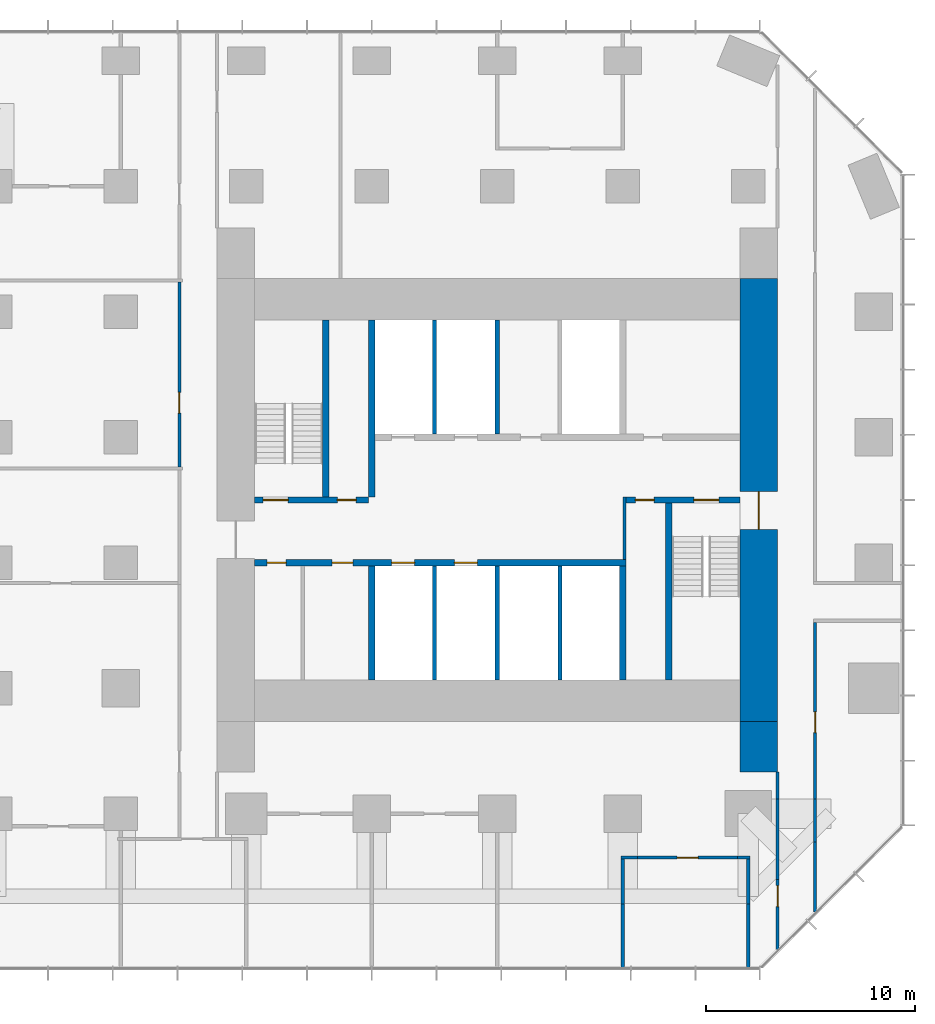
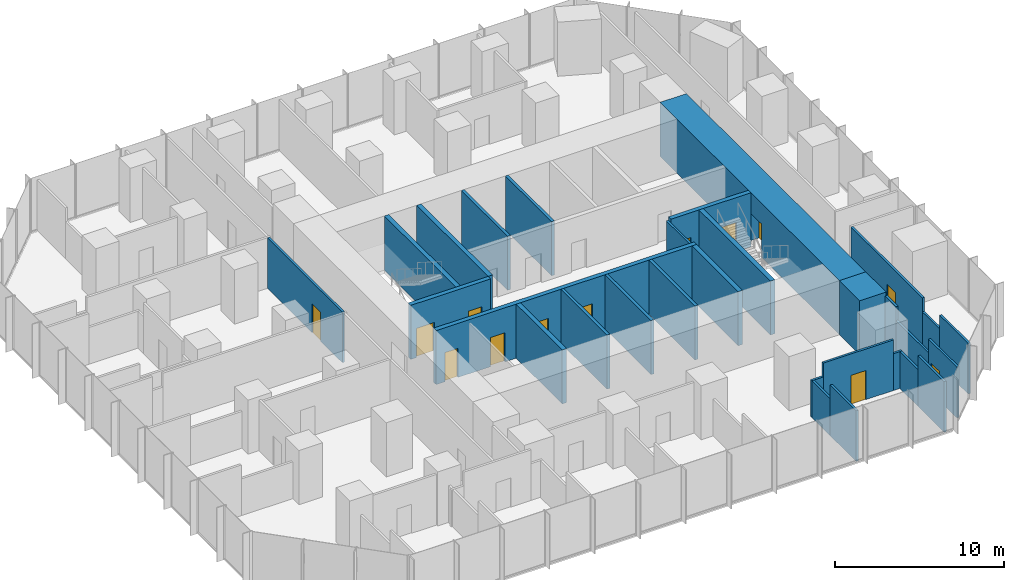
# One storey, part 9 of 11: 30 walls, 13 doors, 13 openings.
"""IFC4 building model written with IfcOpenShell, lengths in metres."""

from ifc_helpers import new_model, si_unit, direction, frame, frame_2d, origin, place, context, subcontext, project, spatial, rectangle, extrude, material, layer, layer_set, type_object, element, fill, save


model = new_model("IFC4")

# Units and contexts
model_context = context("Model", 3, precision=1e-05, world=origin(), true_north=direction((0.0, 1.0)))
body_context = subcontext(model_context, "Body", "Model", "MODEL_VIEW")
ifc_project = project(units=[si_unit("LENGTHUNIT", "METRE"), si_unit("AREAUNIT", "SQUARE_METRE"), si_unit("VOLUMEUNIT", "CUBIC_METRE"), si_unit("PLANEANGLEUNIT", "RADIAN"), si_unit("MASSUNIT", "GRAM", prefix="KILO")], contexts=[model_context])

# Site, building, storey
site_placement = place(None, origin())
site = spatial("IfcSite", under=ifc_project, at=site_placement, CompositionType="ELEMENT")
building_placement = place(site_placement, origin())
building = spatial("IfcBuilding", under=site, at=building_placement, Name="Highveld Stack Headquarters", CompositionType="ELEMENT")
storey_placement = place(building_placement, frame((0.0, 0.0, 125.0)))
storey = spatial("IfcBuildingStorey", under=building, at=storey_placement, Name="L30", CompositionType="ELEMENT", Elevation=125.0)

# Wall, opening, door
ifc_material_1 = material(Name="Concrete C60/75", Category="concrete")
ifc_layer_1 = layer(ifc_material_1, 1.800048828125)
ifc_layer_set_1 = layer_set([ifc_layer_1], Name="Concrete C60/75")
wall_type_1 = type_object("IfcWallType", Name="CORE WALL 1800 C60/75", PredefinedType="SHEAR", material=ifc_layer_set_1)
wall_1_placement = place(storey_placement, frame((18.5, -7.60009765625, 0.0), z_axis=(0.0, 0.0, 1.0), x_axis=(0.0, 1.0, 0.0)))
wall_1 = element("IfcWall", 1, at=wall_1_placement, inside=storey, type_object=wall_type_1, Name="Core wall E L30", PredefinedType="SHEAR", context=body_context, shape_type="SweptSolid", body=[
    extrude(rectangle(XDim=21.2001953125, YDim=1.800048828125, at=frame_2d((10.60009765625, 0.0))), origin(), (0.0, 0.0, 1.0), 3.89990234375),
])
opening_1_placement = place(wall_1_placement, frame((9.199951171875, 0.0, 0.0)))
opening_1 = element("IfcOpeningElement", 2, at=opening_1_placement, cuts=wall_1, Name="Opening L30-02", PredefinedType="OPENING", context=body_context, shape_type="SweptSolid", body=[
    extrude(rectangle(XDim=1.800048828125, YDim=2.39990234375, at=frame_2d((0.89990234375, 1.199951171875))), frame((0.0, 0.909912109375, 0.0), z_axis=(0.0, -1.0, 0.0), x_axis=(1.0, 0.0, 0.0)), (0.0, 0.0, 1.0), 1.820068359375),
])
ifc_material_2 = material(Name="Steel fire door", Category="steel")
door_type_1 = type_object("IfcDoorType", Name="LOBBY FIRE DOOR D4 1800x2400", OperationType="DOUBLE_DOOR_SINGLE_SWING", PredefinedType="DOOR", material=ifc_material_2)
door_1_placement = place(opening_1_placement, origin())
door_1 = element("IfcDoor", 3, at=door_1_placement, inside=storey, type_object=door_type_1, Name="Core east door L30", OperationType="DOUBLE_DOOR_SINGLE_SWING", OverallHeight=2.39990234375, OverallWidth=1.800048828125, PredefinedType="DOOR", context=body_context, shape_type="SweptSolid", body=[
    extrude(rectangle(XDim=1.800048828125, YDim=2.39990234375, at=frame_2d((0.89990234375, 1.199951171875))), frame((0.0, 0.02490234375, 0.0), z_axis=(0.0, -1.0, 0.0), x_axis=(1.0, 0.0, 0.0)), (0.0, 0.0, 1.0), 0.050048828125),
])
fill(opening_1, door_1)

# Wall, openings, doors
ifc_material_3 = material(Name="Concrete C60/75", Category="concrete")
ifc_layer_2 = layer(ifc_material_3, 0.300048828125)
ifc_layer_set_2 = layer_set([ifc_layer_2], Name="Concrete C60/75")
wall_type_2 = type_object("IfcWallType", Name="CORE WALL 300 C60/75", PredefinedType="SHEAR", material=ifc_layer_set_2)
wall_2_placement = place(storey_placement, frame((-5.60009765625, 0.0, 0.0), z_axis=(0.0, 0.0, 1.0), x_axis=(1.0, 0.0, 0.0)))
wall_2 = element("IfcWall", 4, at=wall_2_placement, inside=storey, type_object=wall_type_2, Name="Core wall I-Y0 L30", PredefinedType="SHEAR", context=body_context, shape_type="SweptSolid", body=[
    extrude(rectangle(XDim=17.75, YDim=0.300048828125, at=frame_2d((8.875, 0.0))), origin(), (0.0, 0.0, 1.0), 3.89990234375),
])
opening_2_placement = place(wall_2_placement, frame((0.60009765625, 0.0, 0.0)))
opening_2 = element("IfcOpeningElement", 5, at=opening_2_placement, cuts=wall_2, Name="Opening L30-07", PredefinedType="OPENING", context=body_context, shape_type="SweptSolid", body=[
    extrude(rectangle(XDim=0.89990234375, YDim=2.10009765625, at=frame_2d((0.449951171875, 1.050048828125))), frame((0.0, 0.159912109375, 0.0), z_axis=(0.0, -1.0, 0.0), x_axis=(1.0, 0.0, 0.0)), (0.0, 0.0, 1.0), 0.320068359375),
])
opening_3_placement = place(wall_2_placement, frame((3.699951171875, 0.0, 0.0)))
opening_3 = element("IfcOpeningElement", 6, at=opening_3_placement, cuts=wall_2, Name="Opening L30-08", PredefinedType="OPENING", context=body_context, shape_type="SweptSolid", body=[
    extrude(rectangle(XDim=1.0, YDim=2.10009765625, at=frame_2d((0.5, 1.050048828125))), frame((0.0, 0.159912109375, 0.0), z_axis=(0.0, -1.0, 0.0), x_axis=(1.0, 0.0, 0.0)), (0.0, 0.0, 1.0), 0.320068359375),
])
opening_4_placement = place(wall_2_placement, frame((6.550048828125, 0.0, 0.0)))
opening_4 = element("IfcOpeningElement", 7, at=opening_4_placement, cuts=wall_2, Name="Opening LD", PredefinedType="OPENING", context=body_context, shape_type="SweptSolid", body=[
    extrude(rectangle(XDim=1.10009765625, YDim=2.10009765625, at=frame_2d((0.550048828125, 1.050048828125))), frame((0.0, 0.159912109375, 0.0), z_axis=(0.0, -1.0, 0.0), x_axis=(1.0, 0.0, 0.0)), (0.0, 0.0, 1.0), 0.320068359375),
])
opening_5_placement = place(wall_2_placement, frame((9.550048828125, 0.0, 0.0)))
opening_5 = element("IfcOpeningElement", 8, at=opening_5_placement, cuts=wall_2, Name="Opening LD", PredefinedType="OPENING", context=body_context, shape_type="SweptSolid", body=[
    extrude(rectangle(XDim=1.10009765625, YDim=2.10009765625, at=frame_2d((0.550048828125, 1.050048828125))), frame((0.0, 0.159912109375, 0.0), z_axis=(0.0, -1.0, 0.0), x_axis=(1.0, 0.0, 0.0)), (0.0, 0.0, 1.0), 0.320068359375),
])
ifc_material_4 = material(Name="Timber door, painted", Category="wood")
door_type_2 = type_object("IfcDoorType", Name="ACCESSIBLE WC DOOR D2 1000x2100", OperationType="SINGLE_SWING_RIGHT", PredefinedType="DOOR", material=ifc_material_4)
door_2_placement = place(opening_3_placement, origin())
door_2 = element("IfcDoor", 9, at=door_2_placement, inside=storey, type_object=door_type_2, Name="Accessible WC door L30", OperationType="SINGLE_SWING_LEFT", OverallHeight=2.10009765625, OverallWidth=1.0, PredefinedType="DOOR", context=body_context, shape_type="SweptSolid", body=[
    extrude(rectangle(XDim=1.0, YDim=2.10009765625, at=frame_2d((0.5, 1.050048828125))), frame((0.0, 0.02490234375, 0.0), z_axis=(0.0, -1.0, 0.0), x_axis=(1.0, 0.0, 0.0)), (0.0, 0.0, 1.0), 0.050048828125),
])
fill(opening_3, door_2)
ifc_material_5 = material(Name="Stainless steel lift landing door", Category="steel")
door_type_3 = type_object("IfcDoorType", Name="LIFT LANDING DOOR LD 1100x2100", OperationType="DOUBLE_DOOR_SLIDING", PredefinedType="USERDEFINED", material=ifc_material_5)
door_3_placement = place(opening_4_placement, origin())
door_3 = element("IfcDoor", 10, at=door_3_placement, inside=storey, type_object=door_type_3, Name="Lift landing door B1 L30", ObjectType="LIFT LANDING DOOR", OperationType="DOUBLE_DOOR_SLIDING", OverallHeight=2.10009765625, OverallWidth=1.10009765625, PredefinedType="USERDEFINED", context=body_context, shape_type="SweptSolid", body=[
    extrude(rectangle(XDim=1.10009765625, YDim=2.10009765625, at=frame_2d((0.550048828125, 1.050048828125))), frame((0.0, 0.02490234375, 0.0), z_axis=(0.0, -1.0, 0.0), x_axis=(1.0, 0.0, 0.0)), (0.0, 0.0, 1.0), 0.050048828125),
])
fill(opening_4, door_3)
door_4_placement = place(opening_5_placement, origin())
door_4 = element("IfcDoor", 11, at=door_4_placement, inside=storey, type_object=door_type_3, Name="Lift landing door B2 L30", ObjectType="LIFT LANDING DOOR", OperationType="DOUBLE_DOOR_SLIDING", OverallHeight=2.10009765625, OverallWidth=1.10009765625, PredefinedType="USERDEFINED", context=body_context, shape_type="SweptSolid", body=[
    extrude(rectangle(XDim=1.10009765625, YDim=2.10009765625, at=frame_2d((0.550048828125, 1.050048828125))), frame((0.0, 0.02490234375, 0.0), z_axis=(0.0, -1.0, 0.0), x_axis=(1.0, 0.0, 0.0)), (0.0, 0.0, 1.0), 0.050048828125),
])
fill(opening_5, door_4)
ifc_material_6 = material(Name="Timber door, painted", Category="wood")
door_type_4 = type_object("IfcDoorType", Name="WC DOOR D1 900x2100", OperationType="SINGLE_SWING_LEFT", PredefinedType="DOOR", material=ifc_material_6)
door_5_placement = place(opening_2_placement, origin())
door_5 = element("IfcDoor", 12, at=door_5_placement, inside=storey, type_object=door_type_4, Name="Female WC door L30", OperationType="SINGLE_SWING_LEFT", OverallHeight=2.10009765625, OverallWidth=0.89990234375, PredefinedType="DOOR", context=body_context, shape_type="SweptSolid", body=[
    extrude(rectangle(XDim=0.89990234375, YDim=2.10009765625, at=frame_2d((0.449951171875, 1.050048828125))), frame((0.0, 0.02490234375, 0.0), z_axis=(0.0, -1.0, 0.0), x_axis=(1.0, 0.0, 0.0)), (0.0, 0.0, 1.0), 0.050048828125),
])
fill(opening_2, door_5)

wall_3_placement = place(storey_placement, frame((-5.60009765625, 3.0, 0.0), z_axis=(0.0, 0.0, 1.0), x_axis=(1.0, 0.0, 0.0)))
wall_3 = element("IfcWall", 13, at=wall_3_placement, inside=storey, type_object=wall_type_2, Name="Core wall I-Y3W L30", PredefinedType="SHEAR", context=body_context, shape_type="SweptSolid", body=[
    extrude(rectangle(XDim=5.4501953125, YDim=0.300048828125, at=frame_2d((2.72509765625, 0.0))), origin(), (0.0, 0.0, 1.0), 3.89990234375),
])
opening_6_placement = place(wall_3_placement, frame((0.39990234375, 0.0, 0.0)))
opening_6 = element("IfcOpeningElement", 14, at=opening_6_placement, cuts=wall_3, Name="Opening L30-03", PredefinedType="OPENING", context=body_context, shape_type="SweptSolid", body=[
    extrude(rectangle(XDim=1.199951171875, YDim=2.10009765625, at=frame_2d((0.60009765625, 1.050048828125))), frame((0.0, 0.159912109375, 0.0), z_axis=(0.0, -1.0, 0.0), x_axis=(1.0, 0.0, 0.0)), (0.0, 0.0, 1.0), 0.320068359375),
])
opening_7_placement = place(wall_3_placement, frame((3.949951171875, 0.0, 0.0)))
opening_7 = element("IfcOpeningElement", 15, at=opening_7_placement, cuts=wall_3, Name="Opening L30-04", PredefinedType="OPENING", context=body_context, shape_type="SweptSolid", body=[
    extrude(rectangle(XDim=0.89990234375, YDim=2.10009765625, at=frame_2d((0.449951171875, 1.050048828125))), frame((0.0, 0.159912109375, 0.0), z_axis=(0.0, -1.0, 0.0), x_axis=(1.0, 0.0, 0.0)), (0.0, 0.0, 1.0), 0.320068359375),
])
ifc_material_7 = material(Name="Steel fire door", Category="steel")
door_type_5 = type_object("IfcDoorType", Name="RISER ACCESS DOOR D5 900x2100", OperationType="SINGLE_SWING_LEFT", PredefinedType="DOOR", material=ifc_material_7)
door_6_placement = place(opening_7_placement, origin())
door_6 = element("IfcDoor", 16, at=door_6_placement, inside=storey, type_object=door_type_5, Name="Riser R1 door L30", OperationType="SINGLE_SWING_RIGHT", OverallHeight=2.10009765625, OverallWidth=0.89990234375, PredefinedType="DOOR", context=body_context, shape_type="SweptSolid", body=[
    extrude(rectangle(XDim=0.89990234375, YDim=2.10009765625, at=frame_2d((0.449951171875, 1.050048828125))), frame((0.0, 0.02490234375, 0.0), z_axis=(0.0, -1.0, 0.0), x_axis=(1.0, 0.0, 0.0)), (0.0, 0.0, 1.0), 0.050048828125),
])
fill(opening_7, door_6)
ifc_material_8 = material(Name="Steel fire door", Category="steel")
door_type_6 = type_object("IfcDoorType", Name="STAIR FIRE DOOR D3 1200x2100", OperationType="SINGLE_SWING_LEFT", PredefinedType="DOOR", material=ifc_material_8)
door_7_placement = place(opening_6_placement, origin())
door_7 = element("IfcDoor", 17, at=door_7_placement, inside=storey, type_object=door_type_6, Name="Stair S1 door L30", OperationType="SINGLE_SWING_LEFT", OverallHeight=2.10009765625, OverallWidth=1.199951171875, PredefinedType="DOOR", context=body_context, shape_type="SweptSolid", body=[
    extrude(rectangle(XDim=1.199951171875, YDim=2.10009765625, at=frame_2d((0.60009765625, 1.050048828125))), frame((0.0, 0.02490234375, 0.0), z_axis=(0.0, -1.0, 0.0), x_axis=(1.0, 0.0, 0.0)), (0.0, 0.0, 1.0), 0.050048828125),
])
fill(opening_6, door_7)

wall_4_placement = place(storey_placement, frame((12.14990234375, 3.0, 0.0), z_axis=(0.0, 0.0, 1.0), x_axis=(1.0, 0.0, 0.0)))
wall_4 = element("IfcWall", 18, at=wall_4_placement, inside=storey, type_object=wall_type_2, Name="Core wall I-Y3E L30", PredefinedType="SHEAR", context=body_context, shape_type="SweptSolid", body=[
    extrude(rectangle(XDim=5.4501953125, YDim=0.300048828125, at=frame_2d((2.72509765625, 0.0))), origin(), (0.0, 0.0, 1.0), 3.89990234375),
])
opening_8_placement = place(wall_4_placement, frame((3.25, 0.0, 0.0)))
opening_8 = element("IfcOpeningElement", 19, at=opening_8_placement, cuts=wall_4, Name="Opening L30-05", PredefinedType="OPENING", context=body_context, shape_type="SweptSolid", body=[
    extrude(rectangle(XDim=1.199951171875, YDim=2.10009765625, at=frame_2d((0.60009765625, 1.050048828125))), frame((0.0, 0.159912109375, 0.0), z_axis=(0.0, -1.0, 0.0), x_axis=(1.0, 0.0, 0.0)), (0.0, 0.0, 1.0), 0.320068359375),
])
opening_9_placement = place(wall_4_placement, frame((0.449951171875, 0.0, 0.0)))
opening_9 = element("IfcOpeningElement", 20, at=opening_9_placement, cuts=wall_4, Name="Opening L30-06", PredefinedType="OPENING", context=body_context, shape_type="SweptSolid", body=[
    extrude(rectangle(XDim=0.89990234375, YDim=2.10009765625, at=frame_2d((0.449951171875, 1.050048828125))), frame((0.0, 0.159912109375, 0.0), z_axis=(0.0, -1.0, 0.0), x_axis=(1.0, 0.0, 0.0)), (0.0, 0.0, 1.0), 0.320068359375),
])
door_8_placement = place(opening_9_placement, origin())
door_8 = element("IfcDoor", 21, at=door_8_placement, inside=storey, type_object=door_type_5, Name="Riser R2 door L30", OperationType="SINGLE_SWING_LEFT", OverallHeight=2.10009765625, OverallWidth=0.89990234375, PredefinedType="DOOR", context=body_context, shape_type="SweptSolid", body=[
    extrude(rectangle(XDim=0.89990234375, YDim=2.10009765625, at=frame_2d((0.449951171875, 1.050048828125))), frame((0.0, 0.02490234375, 0.0), z_axis=(0.0, -1.0, 0.0), x_axis=(1.0, 0.0, 0.0)), (0.0, 0.0, 1.0), 0.050048828125),
])
fill(opening_9, door_8)
door_9_placement = place(opening_8_placement, origin())
door_9 = element("IfcDoor", 22, at=door_9_placement, inside=storey, type_object=door_type_6, Name="Stair S2 door L30", OperationType="SINGLE_SWING_RIGHT", OverallHeight=2.10009765625, OverallWidth=1.199951171875, PredefinedType="DOOR", context=body_context, shape_type="SweptSolid", body=[
    extrude(rectangle(XDim=1.199951171875, YDim=2.10009765625, at=frame_2d((0.60009765625, 1.050048828125))), frame((0.0, 0.02490234375, 0.0), z_axis=(0.0, -1.0, 0.0), x_axis=(1.0, 0.0, 0.0)), (0.0, 0.0, 1.0), 0.050048828125),
])
fill(opening_8, door_9)

# Walls
wall_5_placement = place(storey_placement, frame((0.0, -5.60009765625, 0.0), z_axis=(0.0, 0.0, 1.0), x_axis=(0.0, 1.0, 0.0)))
element("IfcWall", 23, at=wall_5_placement, inside=storey, type_object=wall_type_2, Name="Core wall I-X0S L30", PredefinedType="SHEAR", context=body_context, shape_type="SweptSolid", body=[
    extrude(rectangle(XDim=5.4501953125, YDim=0.300048828125, at=frame_2d((2.72509765625, 0.0))), origin(), (0.0, 0.0, 1.0), 3.89990234375),
])
wall_6_placement = place(storey_placement, frame((0.0, 3.14990234375, 0.0), z_axis=(0.0, 0.0, 1.0), x_axis=(0.0, 1.0, 0.0)))
element("IfcWall", 24, at=wall_6_placement, inside=storey, type_object=wall_type_2, Name="Core wall I-X0N L30", PredefinedType="SHEAR", context=body_context, shape_type="SweptSolid", body=[
    extrude(rectangle(XDim=8.4501953125, YDim=0.300048828125, at=frame_2d((4.22509765625, 0.0))), origin(), (0.0, 0.0, 1.0), 3.89990234375),
])
wall_7_placement = place(storey_placement, frame((12.0, -5.60009765625, 0.0), z_axis=(0.0, 0.0, 1.0), x_axis=(0.0, 1.0, 0.0)))
element("IfcWall", 25, at=wall_7_placement, inside=storey, type_object=wall_type_2, Name="Core wall I-X12S L30", PredefinedType="SHEAR", context=body_context, shape_type="SweptSolid", body=[
    extrude(rectangle(XDim=5.4501953125, YDim=0.300048828125, at=frame_2d((2.72509765625, 0.0))), origin(), (0.0, 0.0, 1.0), 3.89990234375),
])
for number, where, z_axis, x_axis, name in (
    (26, (-2.199951171875, 3.14990234375, 0.0), (0.0, 0.0, 1.0), (0.0, 1.0, 0.0), "Core wall I-RW L30"),
    (27, (14.199951171875, -5.60009765625, 0.0), (0.0, 0.0, 1.0), (0.0, 1.0, 0.0), "Core wall I-RE L30"),
):
    element("IfcWall", number, at=place(storey_placement, frame(where, z_axis=z_axis, x_axis=x_axis)), inside=storey, type_object=wall_type_2, Name=name, PredefinedType="SHEAR", context=body_context, shape_type="SweptSolid", body=[
        extrude(rectangle(XDim=8.4501953125, YDim=0.300048828125, at=frame_2d((4.22509765625, 0.0))), origin(), (0.0, 0.0, 1.0), 3.89990234375),
    ])
ifc_material_9 = material(Name="Concrete C60/75", Category="concrete")
ifc_layer_3 = layer(ifc_material_9, 1.800048828125)
ifc_layer_set_3 = layer_set([ifc_layer_3], Name="Concrete C60/75")
wall_type_3 = type_object("IfcWallType", Name="CORE WING WALL 1800 C60/75", PredefinedType="SHEAR", material=ifc_layer_set_3)
wall_8_placement = place(storey_placement, frame((18.5, -10.0, 0.0), z_axis=(0.0, 0.0, 1.0), x_axis=(0.0, 1.0, 0.0)))
element("IfcWall", 28, at=wall_8_placement, inside=storey, type_object=wall_type_3, Name="Core wing wall ES L30", PredefinedType="SHEAR", context=body_context, shape_type="SweptSolid", body=[
    extrude(rectangle(XDim=2.39990234375, YDim=1.800048828125, at=frame_2d((1.199951171875, 0.0))), origin(), (0.0, 0.0, 1.0), 3.89990234375),
])
ifc_material_10 = material(Name="Concrete blockwork, plastered", Category="masonry")
ifc_layer_4 = layer(ifc_material_10, 0.14990234375)
ifc_layer_set_4 = layer_set([ifc_layer_4], Name="Concrete blockwork, plastered")
wall_type_4 = type_object("IfcWallType", Name="FIRE PARTITION 150 BLOCKWORK", PredefinedType="PARTITIONING", material=ifc_layer_set_4)
wall_9_placement = place(storey_placement, frame((12.074951171875, 0.14990234375, 0.0), z_axis=(0.0, 0.0, 1.0), x_axis=(0.0, 1.0, 0.0)))
element("IfcWall", 29, at=wall_9_placement, inside=storey, type_object=wall_type_4, Name="Riser R2 enclosure L30", PredefinedType="PARTITIONING", context=body_context, shape_type="SweptSolid", body=[
    extrude(rectangle(XDim=3.0, YDim=0.14990234375, at=frame_2d((1.5, 0.0))), origin(), (0.0, 0.0, 1.0), 3.64990234375),
])
ifc_material_11 = material(Name="Concrete blockwork, fair-faced", Category="masonry")
ifc_layer_5 = layer(ifc_material_11, 0.199951171875)
ifc_layer_set_5 = layer_set([ifc_layer_5], Name="Concrete blockwork, fair-faced")
wall_type_5 = type_object("IfcWallType", Name="LIFT SHAFT ENCLOSURE WALL 200 BLOCKWORK", PredefinedType="SOLIDWALL", material=ifc_layer_set_5)
for number, where, z_axis, x_axis, name in (
    (30, (3.0, 6.14990234375, 0.0), (0.0, 0.0, 1.0), (0.0, 1.0, 0.0), "Lift shaft wall L30"),
    (31, (6.0, 6.14990234375, 0.0), (0.0, 0.0, 1.0), (0.0, 1.0, 0.0), "Lift shaft wall L30"),
    (32, (3.0, -5.60009765625, 0.0), (0.0, 0.0, 1.0), (0.0, 1.0, 0.0), "Lift shaft wall L30"),
    (33, (6.0, -5.60009765625, 0.0), (0.0, 0.0, 1.0), (0.0, 1.0, 0.0), "Lift shaft wall L30"),
    (34, (9.0, -5.60009765625, 0.0), (0.0, 0.0, 1.0), (0.0, 1.0, 0.0), "Lift shaft wall L30"),
):
    element("IfcWall", number, at=place(storey_placement, frame(where, z_axis=z_axis, x_axis=x_axis)), inside=storey, type_object=wall_type_5, Name=name, PredefinedType="SOLIDWALL", context=body_context, shape_type="SweptSolid", body=[
        extrude(rectangle(XDim=5.4501953125, YDim=0.199951171875, at=frame_2d((2.72509765625, 0.0))), origin(), (0.0, 0.0, 1.0), 3.89990234375),
    ])
ifc_material_12 = material(Name="Gypsum plasterboard on steel studs", Category="steel")
ifc_layer_6 = layer(ifc_material_12, 0.14990234375)
ifc_layer_set_6 = layer_set([ifc_layer_6], Name="Gypsum plasterboard on steel studs")
wall_type_6 = type_object("IfcWallType", Name="PARTITION 150 PLASTERBOARD", PredefinedType="PARTITIONING", material=ifc_layer_set_6)
wall_10_placement = place(storey_placement, frame((11.925048828125, -14.10009765625, 0.0), z_axis=(0.0, 0.0, 1.0), x_axis=(1.0, 0.0, 0.0)))
element("IfcWall", 35, at=wall_10_placement, inside=storey, type_object=wall_type_6, Name="Partition Focus room L30", PredefinedType="PARTITIONING", context=body_context, shape_type="SweptSolid", body=[
    extrude(rectangle(XDim=0.784912109375, YDim=0.14990234375, at=frame_2d((0.392578125, 0.0))), origin(), (0.0, 0.0, 1.0), 2.64990234375),
])

# Wall, opening, door
wall_11_placement = place(storey_placement, frame((12.7099609375, -14.10009765625, 0.0), z_axis=(0.0, 0.0, 1.0), x_axis=(1.0, 0.0, 0.0)))
wall_11 = element("IfcWall", 36, at=wall_11_placement, inside=storey, type_object=wall_type_6, Name="Partition Focus room L30", PredefinedType="PARTITIONING", context=body_context, shape_type="SweptSolid", body=[
    extrude(rectangle(XDim=4.780029296875, YDim=0.14990234375, at=frame_2d((2.39013671875, 0.0))), origin(), (0.0, 0.0, 1.0), 3.64990234375),
])
opening_10_placement = place(wall_11_placement, frame((1.889892578125, 0.0, 0.0)))
opening_10 = element("IfcOpeningElement", 37, at=opening_10_placement, cuts=wall_11, Name="Opening L30-15", PredefinedType="OPENING", context=body_context, shape_type="SweptSolid", body=[
    extrude(rectangle(XDim=1.0, YDim=2.10009765625, at=frame_2d((0.5, 1.050048828125))), frame((0.0, 0.0849609375, 0.0), z_axis=(0.0, -1.0, 0.0), x_axis=(1.0, 0.0, 0.0)), (0.0, 0.0, 1.0), 0.169921875),
])
ifc_material_13 = material(Name="Timber door, oiled ash", Category="wood")
door_type_7 = type_object("IfcDoorType", Name="ROOM DOOR D6 1000x2100", OperationType="SINGLE_SWING_LEFT", PredefinedType="DOOR", material=ifc_material_13)
door_10_placement = place(opening_10_placement, origin())
door_10 = element("IfcDoor", 38, at=door_10_placement, inside=storey, type_object=door_type_7, Name="Focus room door 1 L30", OperationType="SINGLE_SWING_RIGHT", OverallHeight=2.10009765625, OverallWidth=1.0, PredefinedType="DOOR", context=body_context, shape_type="SweptSolid", body=[
    extrude(rectangle(XDim=1.0, YDim=2.10009765625, at=frame_2d((0.5, 1.050048828125))), frame((0.0, 0.02490234375, 0.0), z_axis=(0.0, -1.0, 0.0), x_axis=(1.0, 0.0, 0.0)), (0.0, 0.0, 1.0), 0.050048828125),
])
fill(opening_10, door_10)

# Walls
wall_12_placement = place(storey_placement, frame((17.489990234375, -14.10009765625, 0.0), z_axis=(0.0, 0.0, 1.0), x_axis=(1.0, 0.0, 0.0)))
element("IfcWall", 39, at=wall_12_placement, inside=storey, type_object=wall_type_6, Name="Partition Focus room L30", PredefinedType="PARTITIONING", context=body_context, shape_type="SweptSolid", body=[
    extrude(rectangle(XDim=0.5849609375, YDim=0.14990234375, at=frame_2d((0.29248046875, 0.0))), origin(), (0.0, 0.0, 1.0), 2.64990234375),
])
wall_13_placement = place(storey_placement, frame((12.0, -19.39990234375, 0.0), z_axis=(0.0, 0.0, 1.0), x_axis=(0.0, 1.0, 0.0)))
element("IfcWall", 40, at=wall_13_placement, inside=storey, type_object=wall_type_6, Name="Partition Focus room L30", PredefinedType="PARTITIONING", context=body_context, shape_type="SweptSolid", body=[
    extrude(rectangle(XDim=3.08984375, YDim=0.14990234375, at=frame_2d((1.544921875, 0.0))), origin(), (0.0, 0.0, 1.0), 3.64990234375),
])
wall_14_placement = place(storey_placement, frame((12.0, -16.31005859375, 0.0), z_axis=(0.0, 0.0, 1.0), x_axis=(0.0, 1.0, 0.0)))
element("IfcWall", 41, at=wall_14_placement, inside=storey, type_object=wall_type_6, Name="Partition Focus room L30", PredefinedType="PARTITIONING", context=body_context, shape_type="SweptSolid", body=[
    extrude(rectangle(XDim=2.135009765625, YDim=0.14990234375, at=frame_2d((1.0673828125, 0.0))), origin(), (0.0, 0.0, 1.0), 2.64990234375),
])
wall_15_placement = place(storey_placement, frame((18.0, -19.39990234375, 0.0), z_axis=(0.0, 0.0, 1.0), x_axis=(0.0, 1.0, 0.0)))
element("IfcWall", 42, at=wall_15_placement, inside=storey, type_object=wall_type_6, Name="Partition Focus room L30", PredefinedType="PARTITIONING", context=body_context, shape_type="SweptSolid", body=[
    extrude(rectangle(XDim=3.08984375, YDim=0.14990234375, at=frame_2d((1.544921875, 0.0))), origin(), (0.0, 0.0, 1.0), 3.64990234375),
])
wall_16_placement = place(storey_placement, frame((18.0, -16.31005859375, 0.0), z_axis=(0.0, 0.0, 1.0), x_axis=(0.0, 1.0, 0.0)))
element("IfcWall", 43, at=wall_16_placement, inside=storey, type_object=wall_type_6, Name="Partition Focus room L30", PredefinedType="PARTITIONING", context=body_context, shape_type="SweptSolid", body=[
    extrude(rectangle(XDim=2.135009765625, YDim=0.14990234375, at=frame_2d((1.0673828125, 0.0))), origin(), (0.0, 0.0, 1.0), 2.64990234375),
])

# Wall, opening, door
wall_17_placement = place(storey_placement, frame((-9.199951171875, 4.574951171875, 0.0), z_axis=(0.0, 0.0, 1.0), x_axis=(0.0, 1.0, 0.0)))
wall_17 = element("IfcWall", 44, at=wall_17_placement, inside=storey, type_object=wall_type_6, Name="Partition office neighbourhood L30", PredefinedType="PARTITIONING", context=body_context, shape_type="SweptSolid", body=[
    extrude(rectangle(XDim=8.85009765625, YDim=0.14990234375, at=frame_2d((4.425048828125, 0.0))), origin(), (0.0, 0.0, 1.0), 3.64990234375),
])
opening_11_placement = place(wall_17_placement, frame((2.574951171875, 0.0, 0.0)))
opening_11 = element("IfcOpeningElement", 45, at=opening_11_placement, cuts=wall_17, Name="Opening L30-24", PredefinedType="OPENING", context=body_context, shape_type="SweptSolid", body=[
    extrude(rectangle(XDim=1.0, YDim=2.10009765625, at=frame_2d((0.5, 1.050048828125))), frame((0.0, 0.0849609375, 0.0), z_axis=(0.0, -1.0, 0.0), x_axis=(1.0, 0.0, 0.0)), (0.0, 0.0, 1.0), 0.169921875),
])
door_11_placement = place(opening_11_placement, origin())
door_11 = element("IfcDoor", 46, at=door_11_placement, inside=storey, type_object=door_type_7, Name="Office neighbourhood door L30", OperationType="SINGLE_SWING_LEFT", OverallHeight=2.10009765625, OverallWidth=1.0, PredefinedType="DOOR", context=body_context, shape_type="SweptSolid", body=[
    extrude(rectangle(XDim=1.0, YDim=2.10009765625, at=frame_2d((0.5, 1.050048828125))), frame((0.0, 0.02490234375, 0.0), z_axis=(0.0, -1.0, 0.0), x_axis=(1.0, 0.0, 0.0)), (0.0, 0.0, 1.0), 0.050048828125),
])
fill(opening_11, door_11)

wall_18_placement = place(storey_placement, frame((19.39990234375, -18.489013671875, 0.0), z_axis=(0.0, 0.0, 1.0), x_axis=(0.0, 1.0, 0.0)))
wall_18 = element("IfcWall", 47, at=wall_18_placement, inside=storey, type_object=wall_type_6, Name="Partition office neighbourhood L30", PredefinedType="PARTITIONING", context=body_context, shape_type="SweptSolid", body=[
    extrude(rectangle(XDim=3.34912109375, YDim=0.14990234375, at=frame_2d((1.674560546875, 0.0))), origin(), (0.0, 0.0, 1.0), 3.64990234375),
])
opening_12_placement = place(wall_18_placement, frame((2.049072265625, 0.0, 0.0)))
opening_12 = element("IfcOpeningElement", 48, at=opening_12_placement, cuts=wall_18, Name="Opening L30-20", PredefinedType="OPENING", context=body_context, shape_type="SweptSolid", body=[
    extrude(rectangle(XDim=1.0, YDim=2.10009765625, at=frame_2d((0.5, 1.050048828125))), frame((0.0, 0.0849609375, 0.0), z_axis=(0.0, -1.0, 0.0), x_axis=(1.0, 0.0, 0.0)), (0.0, 0.0, 1.0), 0.169921875),
])
door_12_placement = place(opening_12_placement, origin())
door_12 = element("IfcDoor", 49, at=door_12_placement, inside=storey, type_object=door_type_7, Name="Office neighbourhood door L30", OperationType="SINGLE_SWING_RIGHT", OverallHeight=2.10009765625, OverallWidth=1.0, PredefinedType="DOOR", context=body_context, shape_type="SweptSolid", body=[
    extrude(rectangle(XDim=1.0, YDim=2.10009765625, at=frame_2d((0.5, 1.050048828125))), frame((0.0, 0.02490234375, 0.0), z_axis=(0.0, -1.0, 0.0), x_axis=(1.0, 0.0, 0.0)), (0.0, 0.0, 1.0), 0.050048828125),
])
fill(opening_12, door_12)

# Walls
wall_19_placement = place(storey_placement, frame((19.39990234375, -15.139892578125, 0.0), z_axis=(0.0, 0.0, 1.0), x_axis=(0.0, 1.0, 0.0)))
element("IfcWall", 50, at=wall_19_placement, inside=storey, type_object=wall_type_6, Name="Partition office neighbourhood L30", PredefinedType="PARTITIONING", context=body_context, shape_type="SweptSolid", body=[
    extrude(rectangle(XDim=3.849853515625, YDim=0.14990234375, at=frame_2d((1.9248046875, 0.0))), origin(), (0.0, 0.0, 1.0), 2.64990234375),
])
wall_20_placement = place(storey_placement, frame((19.39990234375, -11.2900390625, 0.0), z_axis=(0.0, 0.0, 1.0), x_axis=(0.0, 1.0, 0.0)))
element("IfcWall", 51, at=wall_20_placement, inside=storey, type_object=wall_type_6, Name="Partition office neighbourhood L30", PredefinedType="PARTITIONING", context=body_context, shape_type="SweptSolid", body=[
    extrude(rectangle(XDim=1.2900390625, YDim=0.14990234375, at=frame_2d((0.64501953125, 0.0))), origin(), (0.0, 0.0, 1.0), 3.64990234375),
])
wall_21_placement = place(storey_placement, frame((21.199951171875, -16.68896484375, 0.0), z_axis=(0.0, 0.0, 1.0), x_axis=(0.0, 1.0, 0.0)))
element("IfcWall", 52, at=wall_21_placement, inside=storey, type_object=wall_type_6, Name="Partition office neighbourhood L30", PredefinedType="PARTITIONING", context=body_context, shape_type="SweptSolid", body=[
    extrude(rectangle(XDim=3.348876953125, YDim=0.14990234375, at=frame_2d((1.67431640625, 0.0))), origin(), (0.0, 0.0, 1.0), 3.64990234375),
])
wall_22_placement = place(storey_placement, frame((21.199951171875, -13.340087890625, 0.0), z_axis=(0.0, 0.0, 1.0), x_axis=(0.0, 1.0, 0.0)))
element("IfcWall", 53, at=wall_22_placement, inside=storey, type_object=wall_type_6, Name="Partition office neighbourhood L30", PredefinedType="PARTITIONING", context=body_context, shape_type="SweptSolid", body=[
    extrude(rectangle(XDim=2.050048828125, YDim=0.14990234375, at=frame_2d((1.02490234375, 0.0))), origin(), (0.0, 0.0, 1.0), 2.64990234375),
])

# Wall, opening, door
wall_23_placement = place(storey_placement, frame((21.199951171875, -11.2900390625, 0.0), z_axis=(0.0, 0.0, 1.0), x_axis=(0.0, 1.0, 0.0)))
wall_23 = element("IfcWall", 54, at=wall_23_placement, inside=storey, type_object=wall_type_6, Name="Partition office neighbourhood L30", PredefinedType="PARTITIONING", context=body_context, shape_type="SweptSolid", body=[
    extrude(rectangle(XDim=8.43994140625, YDim=0.14990234375, at=frame_2d((4.219970703125, 0.0))), origin(), (0.0, 0.0, 1.0), 3.64990234375),
])
opening_13_placement = place(wall_23_placement, frame((3.1630859375, 0.0, 0.0)))
opening_13 = element("IfcOpeningElement", 55, at=opening_13_placement, cuts=wall_23, Name="Opening L30-22", PredefinedType="OPENING", context=body_context, shape_type="SweptSolid", body=[
    extrude(rectangle(XDim=1.0, YDim=2.10009765625, at=frame_2d((0.5, 1.050048828125))), frame((0.0, 0.0849609375, 0.0), z_axis=(0.0, -1.0, 0.0), x_axis=(1.0, 0.0, 0.0)), (0.0, 0.0, 1.0), 0.169921875),
])
door_13_placement = place(opening_13_placement, origin())
door_13 = element("IfcDoor", 56, at=door_13_placement, inside=storey, type_object=door_type_7, Name="Office neighbourhood door L30", OperationType="SINGLE_SWING_LEFT", OverallHeight=2.10009765625, OverallWidth=1.0, PredefinedType="DOOR", context=body_context, shape_type="SweptSolid", body=[
    extrude(rectangle(XDim=1.0, YDim=2.10009765625, at=frame_2d((0.5, 1.050048828125))), frame((0.0, 0.02490234375, 0.0), z_axis=(0.0, -1.0, 0.0), x_axis=(1.0, 0.0, 0.0)), (0.0, 0.0, 1.0), 0.050048828125),
])
fill(opening_13, door_13)

save(model, "model.ifc")
